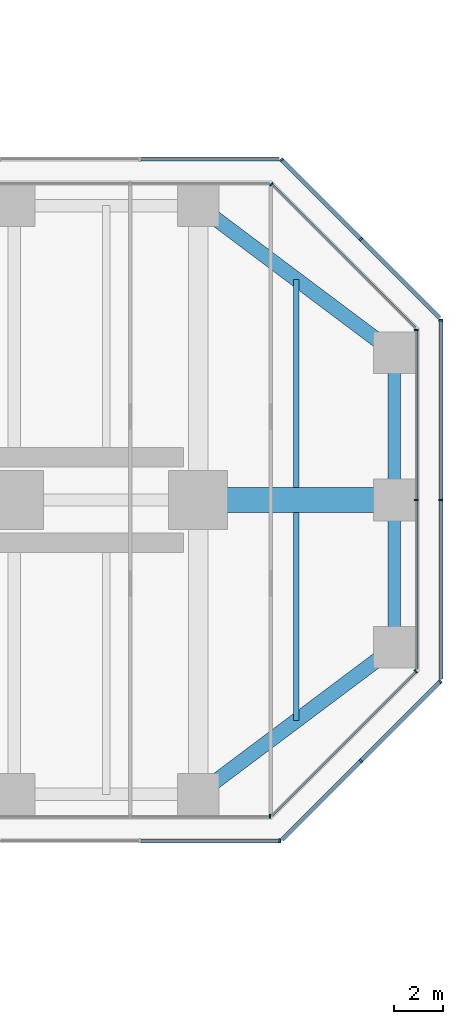
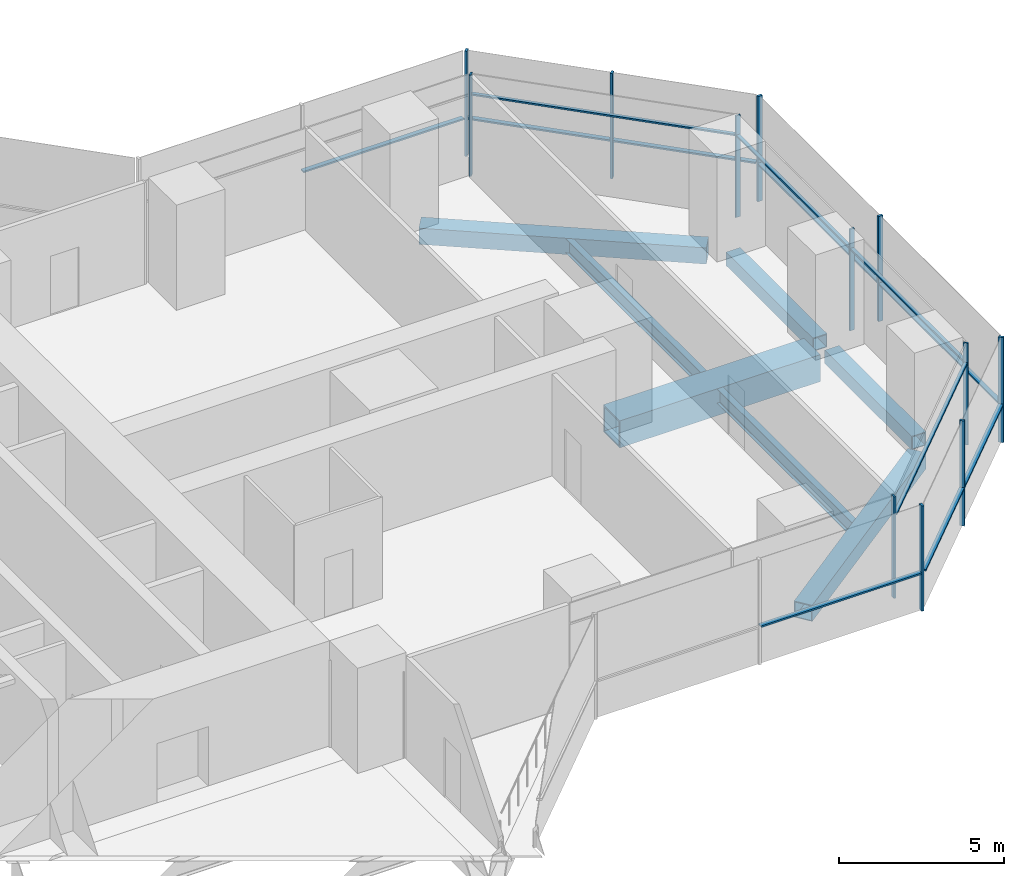
# One storey, part 11 of 20: 24 members, 7 beams, 9 elements without a shape of their own.
"""IFC4 building model written with IfcOpenShell, lengths in metres."""

from ifc_helpers import new_model, si_unit, direction, frame, origin, origin_2d, place, context, subcontext, project, spatial, rectangle, hollow_rectangle, i_section, extrude, material, material_profile, profile_set, type_object, element, aggregate, save


model = new_model("IFC4")

# Units and contexts
model_context = context("Model", 3, precision=1e-05, world=origin(), true_north=direction((0.0, 1.0)))
body_context = subcontext(model_context, "Body", "Model", "MODEL_VIEW")
ifc_project = project(units=[si_unit("LENGTHUNIT", "METRE"), si_unit("AREAUNIT", "SQUARE_METRE"), si_unit("VOLUMEUNIT", "CUBIC_METRE"), si_unit("PLANEANGLEUNIT", "RADIAN"), si_unit("MASSUNIT", "GRAM", prefix="KILO")], contexts=[model_context])

# Site, building, storey
site_placement = place(None, origin())
site = spatial("IfcSite", under=ifc_project, at=site_placement, CompositionType="ELEMENT")
building_placement = place(site_placement, origin())
building = spatial("IfcBuilding", under=site, at=building_placement, Name="Mizan Broadcast Tower", CompositionType="ELEMENT")
storey_placement = place(building_placement, frame((0.0, 0.0, 171.0)))
storey = spatial("IfcBuildingStorey", under=building, at=storey_placement, Name="L39", CompositionType="ELEMENT", Elevation=171.0)

# Beams
ifc_material_1 = material(Name="Steel S355", Category="steel")
ifc_material_profile_1 = material_profile(ifc_material_1, hollow_rectangle(XDim=0.5, YDim=0.5, WallThickness=0.030029296875, at=origin_2d()), Name="BOX 500x500x30")
ifc_profile_set_1 = profile_set([ifc_material_profile_1], Name="Steel S355")
beam_type_1 = type_object("IfcBeamType", Name="EDGE BEAM BOX 500x500x30", PredefinedType="SPANDREL", material=ifc_profile_set_1)
for number, where, z_axis, x_axis, name in (
    (1, (35.0, -5.639892578125, -0.3798828125), (0.0, 1.0, 0.0), (-1.0, 0.0, 0.0), "Edge beam BOX 500x500x30 L39 east arm"),
    (2, (35.0, 5.639892578125, -0.3798828125), (0.0, -1.0, 0.0), (1.0, 0.0, 0.0), "Edge beam BOX 500x500x30 L39 east arm"),
):
    element("IfcBeam", number, at=place(storey_placement, frame(where, z_axis=z_axis, x_axis=x_axis)), inside=storey, type_object=beam_type_1, Name=name, PredefinedType="SPANDREL", context=body_context, shape_type="SweptSolid", body=[
        extrude(hollow_rectangle(XDim=0.5, YDim=0.5, WallThickness=0.030029296875, at=origin_2d()), origin(), (0.0, 0.0, 1.0), 5.27978515625),
    ])
ifc_material_2 = material(Name="Steel S355", Category="steel")
ifc_material_profile_2 = material_profile(ifc_material_2, hollow_rectangle(XDim=0.60009765625, YDim=0.60009765625, WallThickness=0.030029296875, at=origin_2d()), Name="BOX 600x600x30")
ifc_profile_set_2 = profile_set([ifc_material_profile_2], Name="Steel S355")
beam_type_2 = type_object("IfcBeamType", Name="EDGE BEAM BOX 600x600x30", PredefinedType="SPANDREL", material=ifc_profile_set_2)
for number, where, z_axis, x_axis, name in (
    (3, (27.47998046875, -11.639892578125, -0.429931640625), (0.800013316712, 0.599982243973, 0.0), (-0.599982243973, 0.800013316712, 0.0), "Edge beam BOX 600x600x30 L39 east arm"),
    (4, (27.47998046875, 11.639892578125, -0.429931640625), (0.800013316712, -0.599982243973, 0.0), (0.599982243973, 0.800013316712, 0.0), "Edge beam BOX 600x600x30 L39 east arm"),
):
    element("IfcBeam", number, at=place(storey_placement, frame(where, z_axis=z_axis, x_axis=x_axis)), inside=storey, type_object=beam_type_2, Name=name, PredefinedType="SPANDREL", context=body_context, shape_type="SweptSolid", body=[
        extrude(hollow_rectangle(XDim=0.60009765625, YDim=0.60009765625, WallThickness=0.030029296875, at=origin_2d()), origin(), (0.0, 0.0, 1.0), 8.7998046875),
    ])
ifc_material_3 = material(Name="Steel S460", Category="steel")
ifc_material_profile_3 = material_profile(ifc_material_3, hollow_rectangle(XDim=1.0, YDim=1.0, WallThickness=0.06005859375, at=origin_2d()), Name="BOX 1000x1000x60")
ifc_profile_set_3 = profile_set([ifc_material_profile_3], Name="Steel S460")
beam_type_3 = type_object("IfcBeamType", Name="GIRDER BOX 1000x1000x60", PredefinedType="BEAM", material=ifc_profile_set_3)
beam_placement = place(storey_placement, frame((27.47998046875, 0.0, -0.6298828125), z_axis=(1.0, 0.0, 0.0), x_axis=(0.0, 1.0, 0.0)))
element("IfcBeam", 5, at=beam_placement, inside=storey, type_object=beam_type_3, Name="Girder BOX 1000x1000x60 L39 east arm", PredefinedType="BEAM", context=body_context, shape_type="SweptSolid", body=[
    extrude(hollow_rectangle(XDim=1.0, YDim=1.0, WallThickness=0.06005859375, at=origin_2d()), origin(), (0.0, 0.0, 1.0), 7.0400390625),
])

# Curtain wall, member
ifc_material_4 = material(Name="Aluminium framed glazing", Category="aluminium")
curtain_wall_type_1 = type_object("IfcCurtainWallType", Name="INNER SKIN MID ZONE", PredefinedType="USERDEFINED", material=ifc_material_4)
curtain_wall_1_placement = place(storey_placement, origin())
curtain_wall_1 = element("IfcCurtainWall", 6, at=curtain_wall_1_placement, inside=storey, type_object=curtain_wall_type_1, Name="Inner skin mid zone L39 E side", ObjectType="INNER SKIN MID ZONE", PredefinedType="USERDEFINED")
ifc_material_5 = material(Name="Aluminium, pale anodised", Category="aluminium")
ifc_material_profile_4 = material_profile(ifc_material_5, rectangle(XDim=0.159912109375, YDim=0.06005859375, at=origin_2d()), Name="MULLION 160x60")
ifc_profile_set_4 = profile_set([ifc_material_profile_4], Name="Aluminium, pale anodised")
member_type_1 = type_object("IfcMemberType", Name="INNER SKIN MULLION 60x160", PredefinedType="MULLION", material=ifc_profile_set_4)
member_1_placement = place(storey_placement, frame((29.928466796875, -12.89990234375, 0.0), z_axis=(0.0, 0.0, 1.0), x_axis=(0.0, 1.0, 0.0)))
member_1 = element("IfcMember", 7, at=member_1_placement, type_object=member_type_1, Name="Inner skin mid zone L39 E side mullion 3", PredefinedType="MULLION", context=body_context, shape_type="SweptSolid", body=[
    extrude(rectangle(XDim=0.159912109375, YDim=0.06005859375, at=origin_2d()), origin(), (0.0, 0.0, 1.0), 3.77001953125),
])
aggregate(curtain_wall_1, [member_1])

curtain_wall_2_placement = place(storey_placement, origin())
curtain_wall_2 = element("IfcCurtainWall", 8, at=curtain_wall_2_placement, inside=storey, type_object=curtain_wall_type_1, Name="Inner skin mid zone L39 E chamfer", ObjectType="INNER SKIN MID ZONE", PredefinedType="USERDEFINED")
member_2_placement = place(storey_placement, frame((35.87890625, -6.979736328125, 0.0), z_axis=(0.0, 0.0, 1.0), x_axis=(-0.707106781187, 0.707106781187, 0.0)))
member_2 = element("IfcMember", 9, at=member_2_placement, type_object=member_type_1, Name="Inner skin mid zone L39 E chamfer mullion 2", PredefinedType="MULLION", context=body_context, shape_type="SweptSolid", body=[
    extrude(rectangle(XDim=0.159912109375, YDim=0.06005859375, at=origin_2d()), origin(), (0.0, 0.0, 1.0), 3.77001953125),
])

# Curtain wall, members
curtain_wall_3_placement = place(storey_placement, origin())
curtain_wall_3 = element("IfcCurtainWall", 10, at=curtain_wall_3_placement, inside=storey, type_object=curtain_wall_type_1, Name="Inner skin mid zone L39 E end", ObjectType="INNER SKIN MID ZONE", PredefinedType="USERDEFINED")
member_3_placement = place(storey_placement, frame((35.89990234375, 0.0, 0.0), z_axis=(0.0, 0.0, 1.0), x_axis=(-1.0, 0.0, 0.0)))
member_3 = element("IfcMember", 11, at=member_3_placement, type_object=member_type_1, Name="Inner skin mid zone L39 E end mullion 2", PredefinedType="MULLION", context=body_context, shape_type="SweptSolid", body=[
    extrude(rectangle(XDim=0.159912109375, YDim=0.06005859375, at=origin_2d()), origin(), (0.0, 0.0, 1.0), 3.77001953125),
])
member_4_placement = place(storey_placement, frame((35.89990234375, 6.928466796875, 0.0), z_axis=(0.0, 0.0, 1.0), x_axis=(-1.0, 0.0, 0.0)))
member_4 = element("IfcMember", 12, at=member_4_placement, type_object=member_type_1, Name="Inner skin mid zone L39 E end mullion 3", PredefinedType="MULLION", context=body_context, shape_type="SweptSolid", body=[
    extrude(rectangle(XDim=0.159912109375, YDim=0.06005859375, at=origin_2d()), origin(), (0.0, 0.0, 1.0), 3.77001953125),
])

# Curtain wall, member
curtain_wall_4_placement = place(storey_placement, origin())
curtain_wall_4 = element("IfcCurtainWall", 13, at=curtain_wall_4_placement, inside=storey, type_object=curtain_wall_type_1, Name="Inner skin mid zone L39 E chamfer", ObjectType="INNER SKIN MID ZONE", PredefinedType="USERDEFINED")
member_5_placement = place(storey_placement, frame((29.979736328125, 12.87890625, 0.0), z_axis=(0.0, 0.0, 1.0), x_axis=(-0.707106781187, -0.707106781187, 0.0)))
member_5 = element("IfcMember", 14, at=member_5_placement, type_object=member_type_1, Name="Inner skin mid zone L39 E chamfer mullion 2", PredefinedType="MULLION", context=body_context, shape_type="SweptSolid", body=[
    extrude(rectangle(XDim=0.159912109375, YDim=0.06005859375, at=origin_2d()), origin(), (0.0, 0.0, 1.0), 3.77001953125),
])

# Member
ifc_material_6 = material(Name="Aluminium, pale anodised", Category="aluminium")
ifc_material_profile_5 = material_profile(ifc_material_6, rectangle(XDim=0.1201171875, YDim=0.06005859375, at=origin_2d()), Name="TRANSOM 120x60")
ifc_profile_set_5 = profile_set([ifc_material_profile_5], Name="Aluminium, pale anodised")
member_type_2 = type_object("IfcMemberType", Name="INNER SKIN TRANSOM 60x120", PredefinedType="USERDEFINED", material=ifc_profile_set_5)
member_6_placement = place(storey_placement, frame((30.0009765625, -12.857666015625, 3.030029296875), z_axis=(0.707106781187, 0.707106781187, 0.0), x_axis=(-0.707106781187, 0.707106781187, 0.0)))
member_6 = element("IfcMember", 15, at=member_6_placement, type_object=member_type_2, Name="Inner skin mid zone L39 E chamfer transom 1.1", ObjectType="TRANSOM", PredefinedType="USERDEFINED", context=body_context, shape_type="SweptSolid", body=[
    extrude(rectangle(XDim=0.1201171875, YDim=0.06005859375, at=origin_2d()), origin(), (0.0, 0.0, 1.0), 8.28271484375),
])

aggregate(curtain_wall_2, [member_2, member_6])

member_7_placement = place(storey_placement, frame((35.89990234375, -6.898681640625, 3.030029296875), z_axis=(0.0, 1.0, 0.0), x_axis=(-1.0, 0.0, 0.0)))
member_7 = element("IfcMember", 16, at=member_7_placement, type_object=member_type_2, Name="Inner skin mid zone L39 E end transom 1.1", ObjectType="TRANSOM", PredefinedType="USERDEFINED", context=body_context, shape_type="SweptSolid", body=[
    extrude(rectangle(XDim=0.1201171875, YDim=0.06005859375, at=origin_2d()), origin(), (0.0, 0.0, 1.0), 6.86865234375),
])

member_8_placement = place(storey_placement, frame((35.89990234375, 0.030029296875, 3.030029296875), z_axis=(0.0, 1.0, 0.0), x_axis=(-1.0, 0.0, 0.0)))
member_8 = element("IfcMember", 17, at=member_8_placement, type_object=member_type_2, Name="Inner skin mid zone L39 E end transom 2.1", ObjectType="TRANSOM", PredefinedType="USERDEFINED", context=body_context, shape_type="SweptSolid", body=[
    extrude(rectangle(XDim=0.1201171875, YDim=0.06005859375, at=origin_2d()), origin(), (0.0, 0.0, 1.0), 6.86865234375),
])

aggregate(curtain_wall_3, [member_3, member_4, member_7, member_8])

member_9_placement = place(storey_placement, frame((35.857666015625, 7.0009765625, 3.030029296875), z_axis=(-0.707106781187, 0.707106781187, 0.0), x_axis=(-0.707106781187, -0.707106781187, 0.0)))
member_9 = element("IfcMember", 18, at=member_9_placement, type_object=member_type_2, Name="Inner skin mid zone L39 E chamfer transom 1.1", ObjectType="TRANSOM", PredefinedType="USERDEFINED", context=body_context, shape_type="SweptSolid", body=[
    extrude(rectangle(XDim=0.1201171875, YDim=0.06005859375, at=origin_2d()), origin(), (0.0, 0.0, 1.0), 8.28271484375),
])

aggregate(curtain_wall_4, [member_5, member_9])

# Curtain wall, members
ifc_material_7 = material(Name="Aluminium framed glazing", Category="aluminium")
curtain_wall_type_2 = type_object("IfcCurtainWallType", Name="OUTER SKIN", PredefinedType="USERDEFINED", material=ifc_material_7)
curtain_wall_5_placement = place(storey_placement, origin())
curtain_wall_5 = element("IfcCurtainWall", 19, at=curtain_wall_5_placement, inside=storey, type_object=curtain_wall_type_2, Name="Outer skin L39 E chamfer", ObjectType="OUTER SKIN", PredefinedType="USERDEFINED")
ifc_material_8 = material(Name="Aluminium, pale anodised", Category="aluminium")
ifc_material_profile_6 = material_profile(ifc_material_8, rectangle(XDim=0.159912109375, YDim=0.080078125, at=origin_2d()), Name="MULLION 160x80")
ifc_profile_set_6 = profile_set([ifc_material_profile_6], Name="Aluminium, pale anodised")
member_type_3 = type_object("IfcMemberType", Name="OUTER SKIN MULLION 80x160", PredefinedType="MULLION", material=ifc_profile_set_6)
member_10_placement = place(storey_placement, frame((33.636474609375, -10.636474609375, 0.0), z_axis=(0.0, 0.0, 1.0), x_axis=(-0.707106781187, 0.707106781187, 0.0)))
member_10 = element("IfcMember", 20, at=member_10_placement, type_object=member_type_3, Name="Outer skin L39 E chamfer mullion 2", PredefinedType="MULLION", context=body_context, shape_type="SweptSolid", body=[
    extrude(rectangle(XDim=0.159912109375, YDim=0.080078125, at=origin_2d()), origin(), (0.0, 0.0, 1.0), 3.89990234375),
])
member_11_placement = place(storey_placement, frame((36.871826171875, -7.401123046875, 0.0), z_axis=(0.0, 0.0, 1.0), x_axis=(-0.707106781187, 0.707106781187, 0.0)))
member_11 = element("IfcMember", 21, at=member_11_placement, type_object=member_type_3, Name="Outer skin L39 E chamfer mullion 3", PredefinedType="MULLION", context=body_context, shape_type="SweptSolid", body=[
    extrude(rectangle(XDim=0.159912109375, YDim=0.080078125, at=origin_2d()), origin(), (0.0, 0.0, 1.0), 3.89990234375),
])

curtain_wall_6_placement = place(storey_placement, origin())
curtain_wall_6 = element("IfcCurtainWall", 22, at=curtain_wall_6_placement, inside=storey, type_object=curtain_wall_type_2, Name="Outer skin L39 E end", ObjectType="OUTER SKIN", PredefinedType="USERDEFINED")
member_12_placement = place(storey_placement, frame((36.89990234375, 0.0, 0.0), z_axis=(0.0, 0.0, 1.0), x_axis=(-1.0, 0.0, 0.0)))
member_12 = element("IfcMember", 23, at=member_12_placement, type_object=member_type_3, Name="Outer skin L39 E end mullion 2", PredefinedType="MULLION", context=body_context, shape_type="SweptSolid", body=[
    extrude(rectangle(XDim=0.159912109375, YDim=0.080078125, at=origin_2d()), origin(), (0.0, 0.0, 1.0), 3.89990234375),
])
member_13_placement = place(storey_placement, frame((36.89990234375, 7.332763671875, 0.0), z_axis=(0.0, 0.0, 1.0), x_axis=(-1.0, 0.0, 0.0)))
member_13 = element("IfcMember", 24, at=member_13_placement, type_object=member_type_3, Name="Outer skin L39 E end mullion 3", PredefinedType="MULLION", context=body_context, shape_type="SweptSolid", body=[
    extrude(rectangle(XDim=0.159912109375, YDim=0.080078125, at=origin_2d()), origin(), (0.0, 0.0, 1.0), 3.89990234375),
])

curtain_wall_7_placement = place(storey_placement, origin())
curtain_wall_7 = element("IfcCurtainWall", 25, at=curtain_wall_7_placement, inside=storey, type_object=curtain_wall_type_2, Name="Outer skin L39 E chamfer", ObjectType="OUTER SKIN", PredefinedType="USERDEFINED")
member_14_placement = place(storey_placement, frame((33.636474609375, 10.636474609375, 0.0), z_axis=(0.0, 0.0, 1.0), x_axis=(-0.707106781187, -0.707106781187, 0.0)))
member_14 = element("IfcMember", 26, at=member_14_placement, type_object=member_type_3, Name="Outer skin L39 E chamfer mullion 2", PredefinedType="MULLION", context=body_context, shape_type="SweptSolid", body=[
    extrude(rectangle(XDim=0.159912109375, YDim=0.080078125, at=origin_2d()), origin(), (0.0, 0.0, 1.0), 3.89990234375),
])
member_15_placement = place(storey_placement, frame((30.401123046875, 13.871826171875, 0.0), z_axis=(0.0, 0.0, 1.0), x_axis=(-0.707106781187, -0.707106781187, 0.0)))
member_15 = element("IfcMember", 27, at=member_15_placement, type_object=member_type_3, Name="Outer skin L39 E chamfer mullion 3", PredefinedType="MULLION", context=body_context, shape_type="SweptSolid", body=[
    extrude(rectangle(XDim=0.159912109375, YDim=0.080078125, at=origin_2d()), origin(), (0.0, 0.0, 1.0), 3.89990234375),
])

# Curtain wall, member
curtain_wall_8_placement = place(storey_placement, origin())
curtain_wall_8 = element("IfcCurtainWall", 28, at=curtain_wall_8_placement, inside=storey, type_object=curtain_wall_type_2, Name="Outer skin L39 E side", ObjectType="OUTER SKIN", PredefinedType="USERDEFINED")
member_16_placement = place(storey_placement, frame((30.332763671875, -13.89990234375, 0.0), z_axis=(0.0, 0.0, 1.0), x_axis=(0.0, 1.0, 0.0)))
member_16 = element("IfcMember", 29, at=member_16_placement, type_object=member_type_3, Name="Outer skin L39 E side mullion 3", PredefinedType="MULLION", context=body_context, shape_type="SweptSolid", body=[
    extrude(rectangle(XDim=0.159912109375, YDim=0.080078125, at=origin_2d()), origin(), (0.0, 0.0, 1.0), 3.89990234375),
])

# Member
ifc_material_9 = material(Name="Aluminium, pale anodised", Category="aluminium")
ifc_material_profile_7 = material_profile(ifc_material_9, rectangle(XDim=0.159912109375, YDim=0.06005859375, at=origin_2d()), Name="TRANSOM 160x60")
ifc_profile_set_7 = profile_set([ifc_material_profile_7], Name="Aluminium, pale anodised")
member_type_4 = type_object("IfcMemberType", Name="OUTER SKIN TRANSOM 60x160", PredefinedType="USERDEFINED", material=ifc_profile_set_7)
member_17_placement = place(storey_placement, frame((30.429443359375, -13.843505859375, 1.39990234375), z_axis=(0.707106781187, 0.707106781187, 0.0), x_axis=(-0.707106781187, 0.707106781187, 0.0)))
member_17 = element("IfcMember", 30, at=member_17_placement, type_object=member_type_4, Name="Outer skin L39 E chamfer transom 1.1", ObjectType="TRANSOM", PredefinedType="USERDEFINED", context=body_context, shape_type="SweptSolid", body=[
    extrude(rectangle(XDim=0.159912109375, YDim=0.06005859375, at=origin_2d()), origin(), (0.0, 0.0, 1.0), 4.495361328125),
])

member_18_placement = place(storey_placement, frame((33.664794921875, -10.608154296875, 1.39990234375), z_axis=(0.707106781187, 0.707106781187, 0.0), x_axis=(-0.707106781187, 0.707106781187, 0.0)))
member_18 = element("IfcMember", 31, at=member_18_placement, type_object=member_type_4, Name="Outer skin L39 E chamfer transom 2.1", ObjectType="TRANSOM", PredefinedType="USERDEFINED", context=body_context, shape_type="SweptSolid", body=[
    extrude(rectangle(XDim=0.159912109375, YDim=0.06005859375, at=origin_2d()), origin(), (0.0, 0.0, 1.0), 4.495361328125),
])

aggregate(curtain_wall_5, [member_10, member_11, member_17, member_18])

member_19_placement = place(storey_placement, frame((36.89990234375, -7.292724609375, 1.39990234375), z_axis=(0.0, 1.0, 0.0), x_axis=(-1.0, 0.0, 0.0)))
member_19 = element("IfcMember", 32, at=member_19_placement, type_object=member_type_4, Name="Outer skin L39 E end transom 1.1", ObjectType="TRANSOM", PredefinedType="USERDEFINED", context=body_context, shape_type="SweptSolid", body=[
    extrude(rectangle(XDim=0.159912109375, YDim=0.06005859375, at=origin_2d()), origin(), (0.0, 0.0, 1.0), 7.252685546875),
])

member_20_placement = place(storey_placement, frame((36.89990234375, 0.0400390625, 1.39990234375), z_axis=(0.0, 1.0, 0.0), x_axis=(-1.0, 0.0, 0.0)))
member_20 = element("IfcMember", 33, at=member_20_placement, type_object=member_type_4, Name="Outer skin L39 E end transom 2.1", ObjectType="TRANSOM", PredefinedType="USERDEFINED", context=body_context, shape_type="SweptSolid", body=[
    extrude(rectangle(XDim=0.159912109375, YDim=0.06005859375, at=origin_2d()), origin(), (0.0, 0.0, 1.0), 7.252685546875),
])

aggregate(curtain_wall_6, [member_12, member_13, member_19, member_20])

member_21_placement = place(storey_placement, frame((36.843505859375, 7.429443359375, 1.39990234375), z_axis=(-0.707106781187, 0.707106781187, 0.0), x_axis=(-0.707106781187, -0.707106781187, 0.0)))
member_21 = element("IfcMember", 34, at=member_21_placement, type_object=member_type_4, Name="Outer skin L39 E chamfer transom 1.1", ObjectType="TRANSOM", PredefinedType="USERDEFINED", context=body_context, shape_type="SweptSolid", body=[
    extrude(rectangle(XDim=0.159912109375, YDim=0.06005859375, at=origin_2d()), origin(), (0.0, 0.0, 1.0), 4.495361328125),
])

member_22_placement = place(storey_placement, frame((33.608154296875, 10.664794921875, 1.39990234375), z_axis=(-0.707106781187, 0.707106781187, 0.0), x_axis=(-0.707106781187, -0.707106781187, 0.0)))
member_22 = element("IfcMember", 35, at=member_22_placement, type_object=member_type_4, Name="Outer skin L39 E chamfer transom 2.1", ObjectType="TRANSOM", PredefinedType="USERDEFINED", context=body_context, shape_type="SweptSolid", body=[
    extrude(rectangle(XDim=0.159912109375, YDim=0.06005859375, at=origin_2d()), origin(), (0.0, 0.0, 1.0), 4.495361328125),
])

aggregate(curtain_wall_7, [member_14, member_15, member_21, member_22])

# Curtain wall, member
curtain_wall_9_placement = place(storey_placement, origin())
curtain_wall_9 = element("IfcCurtainWall", 36, at=curtain_wall_9_placement, inside=storey, type_object=curtain_wall_type_2, Name="Outer skin L39 E side", ObjectType="OUTER SKIN", PredefinedType="USERDEFINED")
member_23_placement = place(storey_placement, frame((30.292724609375, 13.89990234375, 1.39990234375), z_axis=(-1.0, 0.0, 0.0), x_axis=(0.0, -1.0, 0.0)))
member_23 = element("IfcMember", 37, at=member_23_placement, type_object=member_type_4, Name="Outer skin L39 E side transom 1.1", ObjectType="TRANSOM", PredefinedType="USERDEFINED", context=body_context, shape_type="SweptSolid", body=[
    extrude(rectangle(XDim=0.159912109375, YDim=0.06005859375, at=origin_2d()), origin(), (0.0, 0.0, 1.0), 5.6298828125),
])
aggregate(curtain_wall_9, [member_23])

# Member
member_24_placement = place(storey_placement, frame((24.662841796875, -13.89990234375, 1.39990234375), z_axis=(1.0, 0.0, 0.0), x_axis=(0.0, 1.0, 0.0)))
member_24 = element("IfcMember", 38, at=member_24_placement, type_object=member_type_4, Name="Outer skin L39 E side transom 2.1", ObjectType="TRANSOM", PredefinedType="USERDEFINED", context=body_context, shape_type="SweptSolid", body=[
    extrude(rectangle(XDim=0.159912109375, YDim=0.06005859375, at=origin_2d()), origin(), (0.0, 0.0, 1.0), 5.6298828125),
])

aggregate(curtain_wall_8, [member_16, member_24])

# Beams
ifc_material_10 = material(Name="Steel S355", Category="steel")
ifc_material_profile_8 = material_profile(ifc_material_10, i_section(OverallWidth=0.2099609375, OverallDepth=0.550048828125, WebThickness=0.010986328125, FlangeThickness=0.01708984375, FilletRadius=0.02392578125, at=origin_2d()), Name="IPE 550")
ifc_profile_set_8 = profile_set([ifc_material_profile_8], Name="Steel S355")
beam_type_4 = type_object("IfcBeamType", Name="SECONDARY BEAM IPE 550", PredefinedType="JOIST", material=ifc_profile_set_8)
for number, where, z_axis, x_axis, name in (
    (39, (31.0, -9.0, -0.405029296875), (0.0, 1.0, 0.0), (-1.0, 0.0, 0.0), "Secondary beam IPE 550 L39 east arm"),
    (40, (31.0, 9.0, -0.405029296875), (0.0, -1.0, 0.0), (1.0, 0.0, 0.0), "Secondary beam IPE 550 L39 east arm"),
):
    element("IfcBeam", number, at=place(storey_placement, frame(where, z_axis=z_axis, x_axis=x_axis)), inside=storey, type_object=beam_type_4, Name=name, PredefinedType="JOIST", context=body_context, shape_type="SweptSolid", body=[
        extrude(i_section(OverallWidth=0.2099609375, OverallDepth=0.550048828125, WebThickness=0.010986328125, FlangeThickness=0.01708984375, FilletRadius=0.02392578125, at=origin_2d()), origin(), (0.0, 0.0, 1.0), 8.5),
    ])

save(model, "model.ifc")
